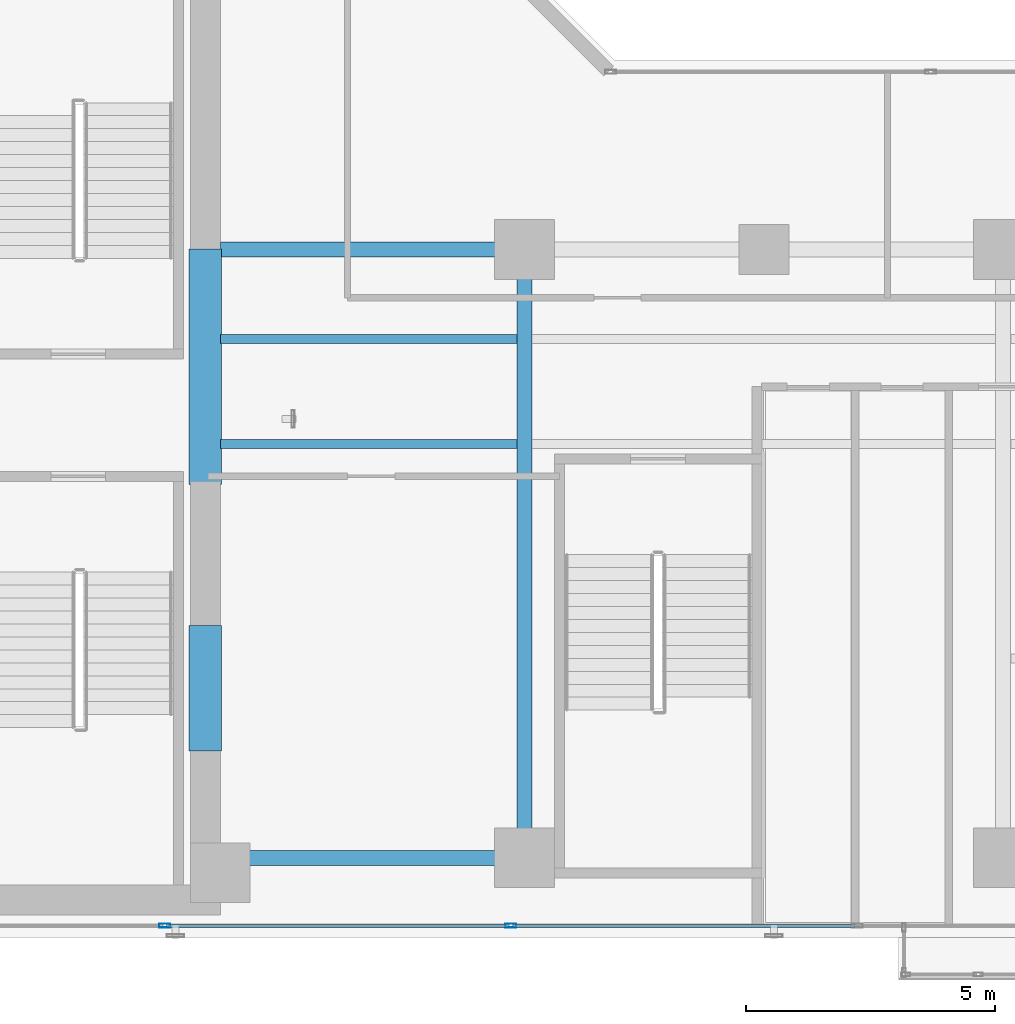
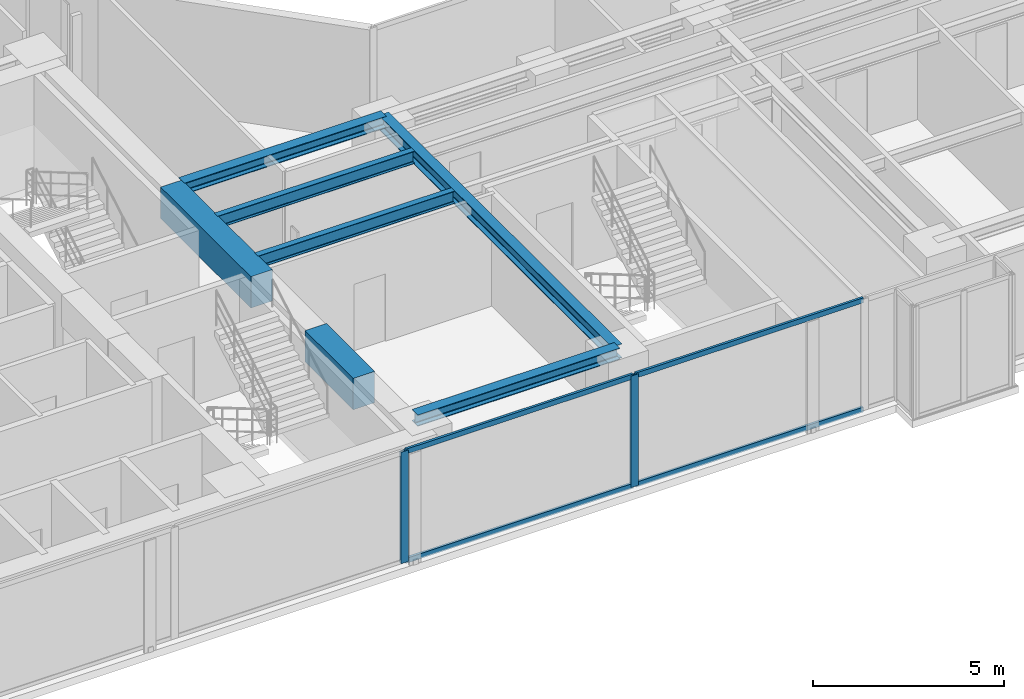
# One storey, part 4 of 28: 7 beams, 6 members, 1 element without a shape of its own.
"""IFC4 building model written with IfcOpenShell, lengths in metres."""

from ifc_helpers import new_model, si_unit, direction, frame, origin, origin_with_axes, origin_2d, place, context, subcontext, project, spatial, rectangle, hollow_rectangle, i_section, extrude, source, transform, mapped, material, layer, layer_set, material_profile, profile_set, type_object, element, aggregate, save


model = new_model("IFC4")

# Units and contexts
model_context = context("Model", 3, precision=1e-05, world=origin(), true_north=direction((0.0, 1.0)))
body_context = subcontext(model_context, "Body", "Model", "MODEL_VIEW")
ifc_project = project(units=[si_unit("LENGTHUNIT", "METRE"), si_unit("AREAUNIT", "SQUARE_METRE"), si_unit("VOLUMEUNIT", "CUBIC_METRE"), si_unit("PLANEANGLEUNIT", "RADIAN"), si_unit("MASSUNIT", "GRAM", prefix="KILO")], contexts=[model_context])

# Site, building, storey
site_placement = place(None, origin())
site = spatial("IfcSite", under=ifc_project, at=site_placement, CompositionType="ELEMENT")
building_placement = place(site_placement, origin())
building = spatial("IfcBuilding", under=site, at=building_placement, Name="Kolvaren Waterfront Exchange", CompositionType="ELEMENT")
storey_placement = place(building_placement, frame((0.0, 0.0, 146.199951171875)))
storey = spatial("IfcBuildingStorey", under=building, at=storey_placement, Name="L37", CompositionType="ELEMENT", Elevation=146.199951171875)

# Beams
ifc_material_1 = material(Name="Steel S355", Category="steel")
ifc_material_profile_1 = material_profile(ifc_material_1, i_section(OverallWidth=0.300048828125, OverallDepth=0.360107421875, WebThickness=0.012451171875, FlangeThickness=0.0224609375, FilletRadius=0.027099609375, at=origin_2d()), Name="HEB360")
ifc_profile_set_1 = profile_set([ifc_material_profile_1], Name="Steel S355")
beam_type_1 = type_object("IfcBeamType", Name="STR-BM-HEB360", PredefinedType="SPANDREL", material=ifc_profile_set_1)
for number, where, z_axis, x_axis, name in (
    (1, (21.10009765625, 5.199951171875, 3.380126953125), (1.0, 0.0, 0.0), (0.0, 1.0, 0.0), "L37 east-arm spandrel S1"),
    (2, (21.10009765625, 17.39990234375, 3.380126953125), (1.0, 0.0, 0.0), (0.0, 1.0, 0.0), "L37 east-arm spandrel N1"),
):
    element("IfcBeam", number, at=place(storey_placement, frame(where, z_axis=z_axis, x_axis=x_axis)), inside=storey, type_object=beam_type_1, Name=name, PredefinedType="SPANDREL", context=body_context, shape_type="SweptSolid", body=[
        extrude(i_section(OverallWidth=0.300048828125, OverallDepth=0.360107421875, WebThickness=0.012451171875, FlangeThickness=0.0224609375, FilletRadius=0.027099609375, at=origin_2d()), origin(), (0.0, 0.0, 1.0), 6.099853515625),
    ])
ifc_material_profile_2 = material_profile(ifc_material_1, i_section(OverallWidth=0.300048828125, OverallDepth=0.449951171875, WebThickness=0.013916015625, FlangeThickness=0.02587890625, FilletRadius=0.027099609375, at=origin_2d()), Name="HEB450")
ifc_profile_set_2 = profile_set([ifc_material_profile_2], Name="Steel S355")
beam_type_2 = type_object("IfcBeamType", Name="STR-BM-HEB450", PredefinedType="BEAM", material=ifc_profile_set_2)
beam_1_placement = place(storey_placement, frame((27.199951171875, 5.199951171875, 3.3349609375), z_axis=(0.0, 1.0, 0.0), x_axis=(-1.0, 0.0, 0.0)))
element("IfcBeam", 3, at=beam_1_placement, inside=storey, type_object=beam_type_2, Name="L37 east-arm transverse girder X27", PredefinedType="BEAM", context=body_context, shape_type="SweptSolid", body=[
    extrude(i_section(OverallWidth=0.300048828125, OverallDepth=0.449951171875, WebThickness=0.013916015625, FlangeThickness=0.02587890625, FilletRadius=0.027099609375, at=origin_2d()), origin(), (0.0, 0.0, 1.0), 12.199951171875),
])
ifc_material_profile_3 = material_profile(ifc_material_1, i_section(OverallWidth=0.179931640625, OverallDepth=0.39990234375, WebThickness=0.008544921875, FlangeThickness=0.013427734375, FilletRadius=0.02099609375, at=origin_2d()), Name="IPE400")
ifc_profile_set_3 = profile_set([ifc_material_profile_3], Name="Steel S355")
beam_type_3 = type_object("IfcBeamType", Name="STR-BM-IPE400", PredefinedType="JOIST", material=ifc_profile_set_3)
for number, where, z_axis, x_axis, name in (
    (4, (21.10009765625, 13.5, 3.360107421875), (1.0, 0.0, 0.0), (0.0, 1.0, 0.0), "L37 east-arm composite joist 1A"),
    (5, (21.10009765625, 15.60009765625, 3.360107421875), (1.0, 0.0, 0.0), (0.0, 1.0, 0.0), "L37 east-arm composite joist 1C"),
):
    element("IfcBeam", number, at=place(storey_placement, frame(where, z_axis=z_axis, x_axis=x_axis)), inside=storey, type_object=beam_type_3, Name=name, PredefinedType="JOIST", context=body_context, shape_type="SweptSolid", body=[
        extrude(i_section(OverallWidth=0.179931640625, OverallDepth=0.39990234375, WebThickness=0.008544921875, FlangeThickness=0.013427734375, FilletRadius=0.02099609375, at=origin_2d()), origin(), (0.0, 0.0, 1.0), 5.947998046875),
    ])
ifc_material_2 = material(Name="Concrete C60/75", Category="concrete")
ifc_material_profile_4 = material_profile(ifc_material_2, rectangle(XDim=0.64990234375, YDim=1.0, at=origin_2d()), Name="RC-CB-1000x650")
ifc_profile_set_4 = profile_set([ifc_material_profile_4], Name="Concrete C60/75")
beam_type_4 = type_object("IfcBeamType", Name="STR-CB-1000", PredefinedType="SPANDREL", material=ifc_profile_set_4)
beam_2_placement = place(storey_placement, frame((20.800048828125, 7.340087890625, 3.06005859375), z_axis=(0.0, 1.0, 0.0), x_axis=(-1.0, 0.0, 0.0)))
element("IfcBeam", 6, at=beam_2_placement, inside=storey, type_object=beam_type_4, Name="L37 core coupling beam 1", PredefinedType="SPANDREL", context=body_context, shape_type="SweptSolid", body=[
    extrude(rectangle(XDim=0.64990234375, YDim=1.0, at=origin_2d()), origin(), (0.0, 0.0, 1.0), 2.52001953125),
])
beam_3_placement = place(storey_placement, frame((20.800048828125, 12.68994140625, 3.06005859375), z_axis=(0.0, 1.0, 0.0), x_axis=(-1.0, 0.0, 0.0)))
element("IfcBeam", 7, at=beam_3_placement, inside=storey, type_object=beam_type_4, Name="L37 core coupling beam 2", PredefinedType="SPANDREL", context=body_context, shape_type="SweptSolid", body=[
    extrude(rectangle(XDim=0.64990234375, YDim=1.0, at=origin_2d()), origin(), (0.0, 0.0, 1.0), 4.719970703125),
])

# Curtain wall, members
ifc_material_3 = material(Name="Anodised bronze aluminium 6063-T6", Category="aluminium")
ifc_layer = layer(ifc_material_3, 0.219970703125, Name="Anodised bronze aluminium 6063-T6")
ifc_layer_set = layer_set([ifc_layer], Name="Anodised bronze aluminium 6063-T6")
curtain_wall_type = type_object("IfcCurtainWallType", Name="ARC-CW-SYS1", PredefinedType="USERDEFINED", material=ifc_layer_set)
curtain_wall_placement = place(storey_placement, origin())
curtain_wall = element("IfcCurtainWall", 8, at=curtain_wall_placement, inside=storey, type_object=curtain_wall_type, Name="L37 stick curtain wall CW1 (CW-L37-S)", ObjectType="STICK CURTAIN WALL", PredefinedType="USERDEFINED")
ifc_material_4 = material(Name="Anodised aluminium 6063-T6", Category="aluminium")
ifc_material_profile_5 = material_profile(ifc_material_4, hollow_rectangle(XDim=0.080078125, YDim=0.219970703125, WallThickness=0.0048828125, at=origin_2d()), Name="ALU-MUL-220x80x5")
ifc_profile_set_5 = profile_set([ifc_material_profile_5], Name="Anodised aluminium 6063-T6")
member_type_1 = type_object("IfcMemberType", Name="ARC-CWM-220", PredefinedType="MULLION", material=ifc_profile_set_5)
shared_shape_1 = source(origin_with_axes(), body_context, "Body", "SweptSolid", [
    extrude(hollow_rectangle(XDim=0.080078125, YDim=0.219970703125, WallThickness=0.0048828125, at=origin_2d()), origin(), (0.0, 0.0, 1.0), 3.56005859375),
])
member_1_placement = place(storey_placement, frame((19.985595703125, 3.840087890625, 0.0), z_axis=(0.0, 0.0, 1.0), x_axis=(0.0, 1.0, 0.0)))
member_1 = element("IfcMember", 9, at=member_1_placement, type_object=member_type_1, Name="CW1 mullion 3", PredefinedType="MULLION", context=body_context, shape_type="MappedRepresentation", body=[
    mapped(shared_shape_1, transform((0.0, 0.0, 0.0), x_axis=(1.0, 0.0, 0.0), y_axis=(0.0, 1.0, 0.0), z_axis=(0.0, 0.0, 1.0), scale=1.0)),
])
member_2_placement = place(storey_placement, frame((26.928466796875, 3.840087890625, 0.0), z_axis=(0.0, 0.0, 1.0), x_axis=(0.0, 1.0, 0.0)))
member_2 = element("IfcMember", 10, at=member_2_placement, type_object=member_type_1, Name="CW1 mullion 4", PredefinedType="MULLION", context=body_context, shape_type="MappedRepresentation", body=[
    mapped(shared_shape_1, transform((0.0, 0.0, 0.0), x_axis=(1.0, 0.0, 0.0), y_axis=(0.0, 1.0, 0.0), z_axis=(0.0, 0.0, 1.0), scale=1.0)),
])
ifc_material_profile_6 = material_profile(ifc_material_4, hollow_rectangle(XDim=0.074951171875, YDim=0.159912109375, WallThickness=0.00439453125, at=origin_2d()), Name="ALU-TRN-160x75x4.5")
ifc_profile_set_6 = profile_set([ifc_material_profile_6], Name="Anodised aluminium 6063-T6")
member_type_2 = type_object("IfcMemberType", Name="ARC-CWT-160", PredefinedType="USERDEFINED", material=ifc_profile_set_6)
shared_shape_2 = source(origin_with_axes(), body_context, "Body", "SweptSolid", [
    extrude(hollow_rectangle(XDim=0.074951171875, YDim=0.159912109375, WallThickness=0.00439453125, at=origin_2d()), origin(), (0.0, 0.0, 1.0), 6.863037109375),
])
member_3_placement = place(storey_placement, frame((20.025634765625, 3.840087890625, 0.03759765625), z_axis=(1.0, 0.0, 0.0), x_axis=(0.0, 1.0, 0.0)))
member_3 = element("IfcMember", 11, at=member_3_placement, type_object=member_type_2, Name="CW1 transom 3.1", ObjectType="TRANSOM", PredefinedType="USERDEFINED", context=body_context, shape_type="MappedRepresentation", body=[
    mapped(shared_shape_2, transform((0.0, 0.0, 0.0), x_axis=(1.0, 0.0, 0.0), y_axis=(0.0, 1.0, 0.0), z_axis=(0.0, 0.0, 1.0), scale=1.0)),
])
member_4_placement = place(storey_placement, frame((20.025634765625, 3.840087890625, 3.5224609375), z_axis=(1.0, 0.0, 0.0), x_axis=(0.0, 1.0, 0.0)))
member_4 = element("IfcMember", 12, at=member_4_placement, type_object=member_type_2, Name="CW1 transom 3.2", ObjectType="TRANSOM", PredefinedType="USERDEFINED", context=body_context, shape_type="MappedRepresentation", body=[
    mapped(shared_shape_2, transform((0.0, 0.0, 0.0), x_axis=(1.0, 0.0, 0.0), y_axis=(0.0, 1.0, 0.0), z_axis=(0.0, 0.0, 1.0), scale=1.0)),
])
member_5_placement = place(storey_placement, frame((26.968505859375, 3.840087890625, 0.03759765625), z_axis=(1.0, 0.0, 0.0), x_axis=(0.0, 1.0, 0.0)))
member_5 = element("IfcMember", 13, at=member_5_placement, type_object=member_type_2, Name="CW1 transom 4.1", ObjectType="TRANSOM", PredefinedType="USERDEFINED", context=body_context, shape_type="MappedRepresentation", body=[
    mapped(shared_shape_2, transform((0.0, 0.0, 0.0), x_axis=(1.0, 0.0, 0.0), y_axis=(0.0, 1.0, 0.0), z_axis=(0.0, 0.0, 1.0), scale=1.0)),
])
member_6_placement = place(storey_placement, frame((26.968505859375, 3.840087890625, 3.5224609375), z_axis=(1.0, 0.0, 0.0), x_axis=(0.0, 1.0, 0.0)))
member_6 = element("IfcMember", 14, at=member_6_placement, type_object=member_type_2, Name="CW1 transom 4.2", ObjectType="TRANSOM", PredefinedType="USERDEFINED", context=body_context, shape_type="MappedRepresentation", body=[
    mapped(shared_shape_2, transform((0.0, 0.0, 0.0), x_axis=(1.0, 0.0, 0.0), y_axis=(0.0, 1.0, 0.0), z_axis=(0.0, 0.0, 1.0), scale=1.0)),
])
aggregate(curtain_wall, [member_1, member_2, member_3, member_4, member_5, member_6])

save(model, "model.ifc")
